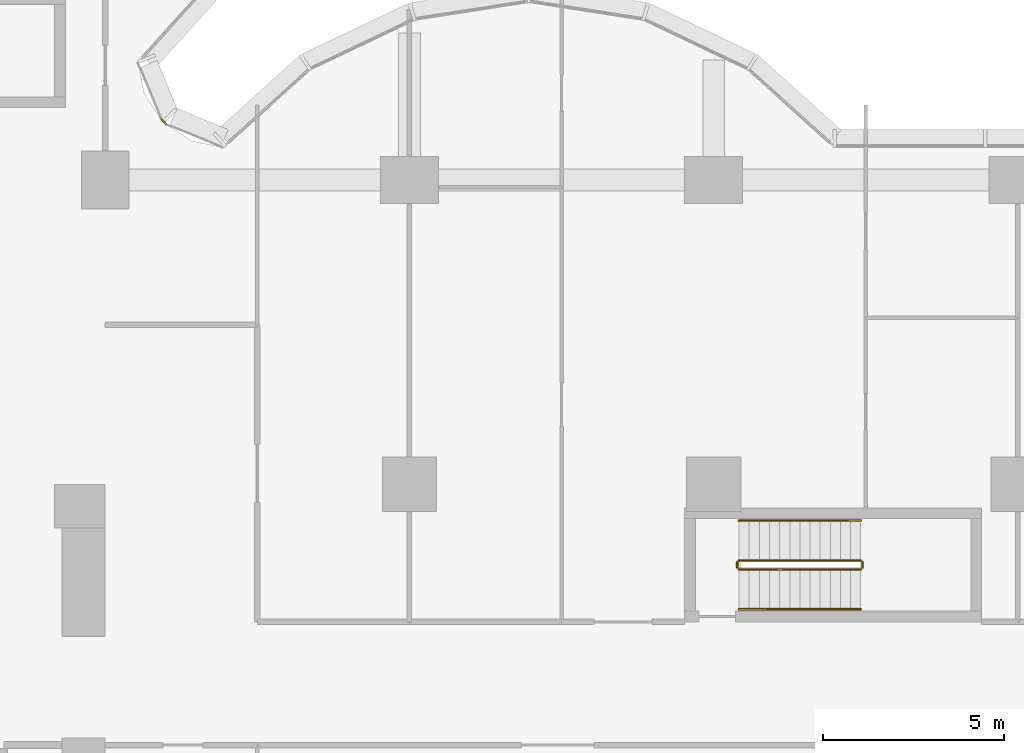
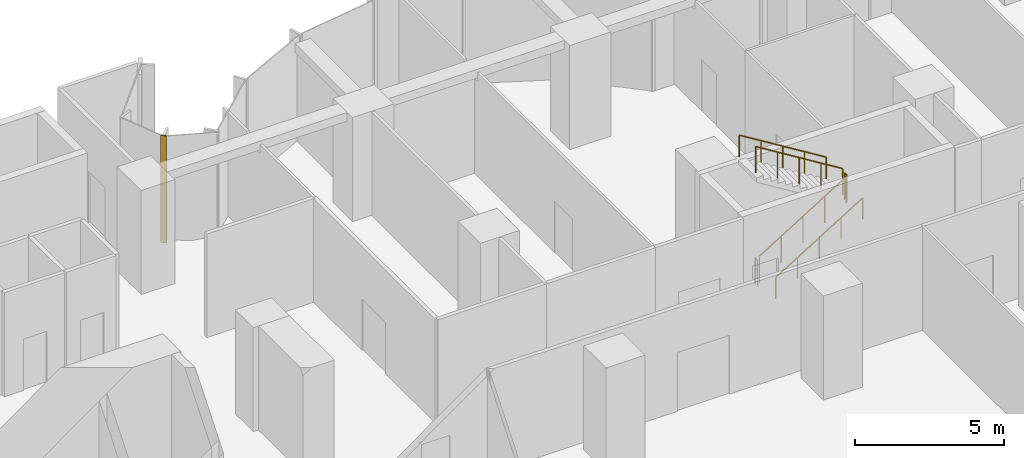
# One storey, part 12 of 13: 6 railings, 1 covering, 1 element without a shape of its own.
"""IFC4 building model written with IfcOpenShell, lengths in metres."""

from ifc_helpers import new_model, si_unit, direction, frame, origin, origin_2d, place, context, subcontext, project, spatial, polyline, circle, outline, extrude, material, layer, layer_set, type_object, element, aggregate, save


model = new_model("IFC4")

# Units and contexts
model_context = context("Model", 3, precision=1e-05, world=origin(), true_north=direction((0.0, 1.0)))
body_context = subcontext(model_context, "Body", "Model", "MODEL_VIEW")
ifc_project = project(units=[si_unit("LENGTHUNIT", "METRE"), si_unit("AREAUNIT", "SQUARE_METRE"), si_unit("VOLUMEUNIT", "CUBIC_METRE"), si_unit("PLANEANGLEUNIT", "RADIAN"), si_unit("MASSUNIT", "GRAM", prefix="KILO")], contexts=[model_context])

# Site, building, storey
site_placement = place(None, origin())
site = spatial("IfcSite", under=ifc_project, at=site_placement, CompositionType="ELEMENT")
building_placement = place(site_placement, origin())
building = spatial("IfcBuilding", under=site, at=building_placement, Name="Brevane Broadcast Tower", CompositionType="ELEMENT")
storey_placement = place(building_placement, frame((0.0, 0.0, 32.0)))
storey = spatial("IfcBuildingStorey", under=building, at=storey_placement, Name="L05", CompositionType="ELEMENT", Elevation=32.0)

# Railings
ifc_material_1 = material(Name="Steel S355", Category="steel")
railing_type_1 = type_object("IfcRailingType", Name="Exit stair guard", PredefinedType="GUARDRAIL", material=ifc_material_1)
railing_1_placement = place(storey_placement, frame((42.699951171875, 14.449951171875, 0.173095703125)))
element("IfcRailing", 1, at=railing_1_placement, inside=storey, type_object=railing_type_1, Name="L05 ST-4 stair guard 1", PredefinedType="GUARDRAIL", context=body_context, shape_type="SweptSolid", body=[
    extrude(circle(Radius=0.02392578125, at=origin_2d()), frame((0.0, 0.0, 1.076171875), z_axis=(0.850623216509, 0.0, 0.525775754039), x_axis=(0.0, 1.0, 0.0)), (0.0, 0.0, 1.0), 3.9501953125),
    extrude(circle(Radius=0.02099609375, at=origin_2d()), origin(), (0.0, 0.0, 1.0), 1.052001953125),
    extrude(circle(Radius=0.02099609375, at=origin_2d()), frame((0.840087890625, 0.0, 0.519287109375)), (0.0, 0.0, 1.0), 1.052001953125),
    extrude(circle(Radius=0.02099609375, at=origin_2d()), frame((1.68017578125, 0.0, 1.03857421875)), (0.0, 0.0, 1.0), 1.052001953125),
    extrude(circle(Radius=0.02099609375, at=origin_2d()), frame((2.52001953125, 0.0, 1.5576171875)), (0.0, 0.0, 1.0), 1.052001953125),
    extrude(circle(Radius=0.02099609375, at=origin_2d()), frame((3.360107421875, 0.0, 2.076904296875)), (0.0, 0.0, 1.0), 1.052001953125),
])
railing_2_placement = place(storey_placement, frame((46.110107421875, 14.5, 2.25)))
element("IfcRailing", 2, at=railing_2_placement, inside=storey, type_object=railing_type_1, Name="L05 ST-4 stair guard 2", PredefinedType="GUARDRAIL", context=body_context, shape_type="SweptSolid", body=[
    extrude(circle(Radius=0.02392578125, at=origin_2d()), frame((0.0, 0.0, 1.076171875), z_axis=(0.0, 1.0, 0.0), x_axis=(-1.0, 0.0, 0.0)), (0.0, 0.0, 1.0), 0.14990234375),
    extrude(circle(Radius=0.02099609375, at=origin_2d()), origin(), (0.0, 0.0, 1.0), 1.052001953125),
    extrude(circle(Radius=0.02099609375, at=origin_2d()), frame((0.0, 0.14990234375, 0.0)), (0.0, 0.0, 1.0), 1.052001953125),
])
railing_3_placement = place(storey_placement, frame((46.06005859375, 14.699951171875, 2.423095703125)))
element("IfcRailing", 3, at=railing_3_placement, inside=storey, type_object=railing_type_1, Name="L05 ST-4 stair guard 3", PredefinedType="GUARDRAIL", context=body_context, shape_type="SweptSolid", body=[
    extrude(circle(Radius=0.02392578125, at=origin_2d()), frame((0.0, 0.0, 1.076171875), z_axis=(-0.850623216509, 0.0, 0.525775754039), x_axis=(0.0, -1.0, 0.0)), (0.0, 0.0, 1.0), 3.9501953125),
    extrude(circle(Radius=0.02099609375, at=origin_2d()), origin(), (0.0, 0.0, 1.0), 1.052001953125),
    extrude(circle(Radius=0.02099609375, at=origin_2d()), frame((-0.840087890625, 0.0, 0.519287109375)), (0.0, 0.0, 1.0), 1.052001953125),
    extrude(circle(Radius=0.02099609375, at=origin_2d()), frame((-1.68017578125, 0.0, 1.03857421875)), (0.0, 0.0, 1.0), 1.052001953125),
    extrude(circle(Radius=0.02099609375, at=origin_2d()), frame((-2.52001953125, 0.0, 1.5576171875)), (0.0, 0.0, 1.0), 1.052001953125),
    extrude(circle(Radius=0.02099609375, at=origin_2d()), frame((-3.360107421875, 0.0, 2.076904296875)), (0.0, 0.0, 1.0), 1.052001953125),
])
railing_4_placement = place(storey_placement, frame((42.64990234375, 14.5, 0.0)))
element("IfcRailing", 4, at=railing_4_placement, inside=storey, type_object=railing_type_1, Name="L05 ST-4 stair guard 4", PredefinedType="GUARDRAIL", context=body_context, shape_type="SweptSolid", body=[
    extrude(circle(Radius=0.02392578125, at=origin_2d()), frame((0.0, 0.0, 1.076171875), z_axis=(0.0, 1.0, 0.0), x_axis=(-1.0, 0.0, 0.0)), (0.0, 0.0, 1.0), 0.14990234375),
    extrude(circle(Radius=0.02099609375, at=origin_2d()), origin(), (0.0, 0.0, 1.0), 1.052001953125),
    extrude(circle(Radius=0.02099609375, at=origin_2d()), frame((0.0, 0.14990234375, 0.0)), (0.0, 0.0, 1.0), 1.052001953125),
])
railing_type_2 = type_object("IfcRailingType", Name="Exit stair handrail", PredefinedType="HANDRAIL", material=ifc_material_1)
railing_5_placement = place(storey_placement, frame((42.699951171875, 13.35009765625, 0.173095703125)))
element("IfcRailing", 5, at=railing_5_placement, inside=storey, type_object=railing_type_2, Name="L05 ST-4 stair handrail 1", PredefinedType="HANDRAIL", context=body_context, shape_type="SweptSolid", body=[
    extrude(circle(Radius=0.02392578125, at=origin_2d()), frame((0.0, 0.0, 0.8759765625), z_axis=(0.850623216509, 0.0, 0.525775754039), x_axis=(0.0, 1.0, 0.0)), (0.0, 0.0, 1.0), 3.9501953125),
    extrude(circle(Radius=0.02099609375, at=origin_2d()), origin(), (0.0, 0.0, 1.0), 0.851806640625),
    extrude(circle(Radius=0.02099609375, at=origin_2d()), frame((0.840087890625, 0.0, 0.519287109375)), (0.0, 0.0, 1.0), 0.851806640625),
    extrude(circle(Radius=0.02099609375, at=origin_2d()), frame((1.68017578125, 0.0, 1.03857421875)), (0.0, 0.0, 1.0), 0.851806640625),
    extrude(circle(Radius=0.02099609375, at=origin_2d()), frame((2.52001953125, 0.0, 1.5576171875)), (0.0, 0.0, 1.0), 0.851806640625),
    extrude(circle(Radius=0.02099609375, at=origin_2d()), frame((3.360107421875, 0.0, 2.076904296875)), (0.0, 0.0, 1.0), 0.851806640625),
])
railing_6_placement = place(storey_placement, frame((46.06005859375, 15.800048828125, 2.423095703125)))
element("IfcRailing", 6, at=railing_6_placement, inside=storey, type_object=railing_type_2, Name="L05 ST-4 stair handrail 2", PredefinedType="HANDRAIL", context=body_context, shape_type="SweptSolid", body=[
    extrude(circle(Radius=0.02392578125, at=origin_2d()), frame((0.0, 0.0, 0.8759765625), z_axis=(-0.850623216509, 0.0, 0.525775754039), x_axis=(0.0, -1.0, 0.0)), (0.0, 0.0, 1.0), 3.9501953125),
    extrude(circle(Radius=0.02099609375, at=origin_2d()), origin(), (0.0, 0.0, 1.0), 0.851806640625),
    extrude(circle(Radius=0.02099609375, at=origin_2d()), frame((-0.840087890625, 0.0, 0.519287109375)), (0.0, 0.0, 1.0), 0.851806640625),
    extrude(circle(Radius=0.02099609375, at=origin_2d()), frame((-1.68017578125, 0.0, 1.03857421875)), (0.0, 0.0, 1.0), 0.851806640625),
    extrude(circle(Radius=0.02099609375, at=origin_2d()), frame((-2.52001953125, 0.0, 1.5576171875)), (0.0, 0.0, 1.0), 0.851806640625),
    extrude(circle(Radius=0.02099609375, at=origin_2d()), frame((-3.360107421875, 0.0, 2.076904296875)), (0.0, 0.0, 1.0), 0.851806640625),
])

# Curtain wall, covering
ifc_material_2 = material(Name="Aluminium 6063-T6 bronze anodised", Category="aluminium")
curtain_wall_type = type_object("IfcCurtainWallType", Name="CW-2 curtain wall", PredefinedType="NOTDEFINED", material=ifc_material_2)
curtain_wall_placement = place(storey_placement, origin())
curtain_wall = element("IfcCurtainWall", 7, at=curtain_wall_placement, inside=storey, type_object=curtain_wall_type, Name="CW-2 podium base unit L05 inner corner", PredefinedType="NOTDEFINED")
ifc_material_3 = material(Name="Back-painted bronze glass shadow-box", Category="glass")
ifc_layer = layer(ifc_material_3, 0.0400390625)
ifc_layer_set = layer_set([ifc_layer], Name="Shadow-box panel 40")
covering_type = type_object("IfcCoveringType", Name="Shadow-box panel 40", PredefinedType="CLADDING", material=ifc_layer_set)
covering_placement = place(storey_placement, frame((0.0, 0.0, -0.1298828125)))
covering = element("IfcCovering", 8, at=covering_placement, type_object=covering_type, Name="Closure panel", PredefinedType="CLADDING", context=body_context, shape_type="SweptSolid", body=[
    extrude(outline(polyline([(26.873046875, 26.728515625), (26.90380859375, 26.759033203125), (26.759033203125, 26.90380859375), (26.728515625, 26.873046875), (26.873046875, 26.728515625)])), origin(), (0.0, 0.0, 1.0), 4.3798828125),
])
aggregate(curtain_wall, [covering])

save(model, "model.ifc")
